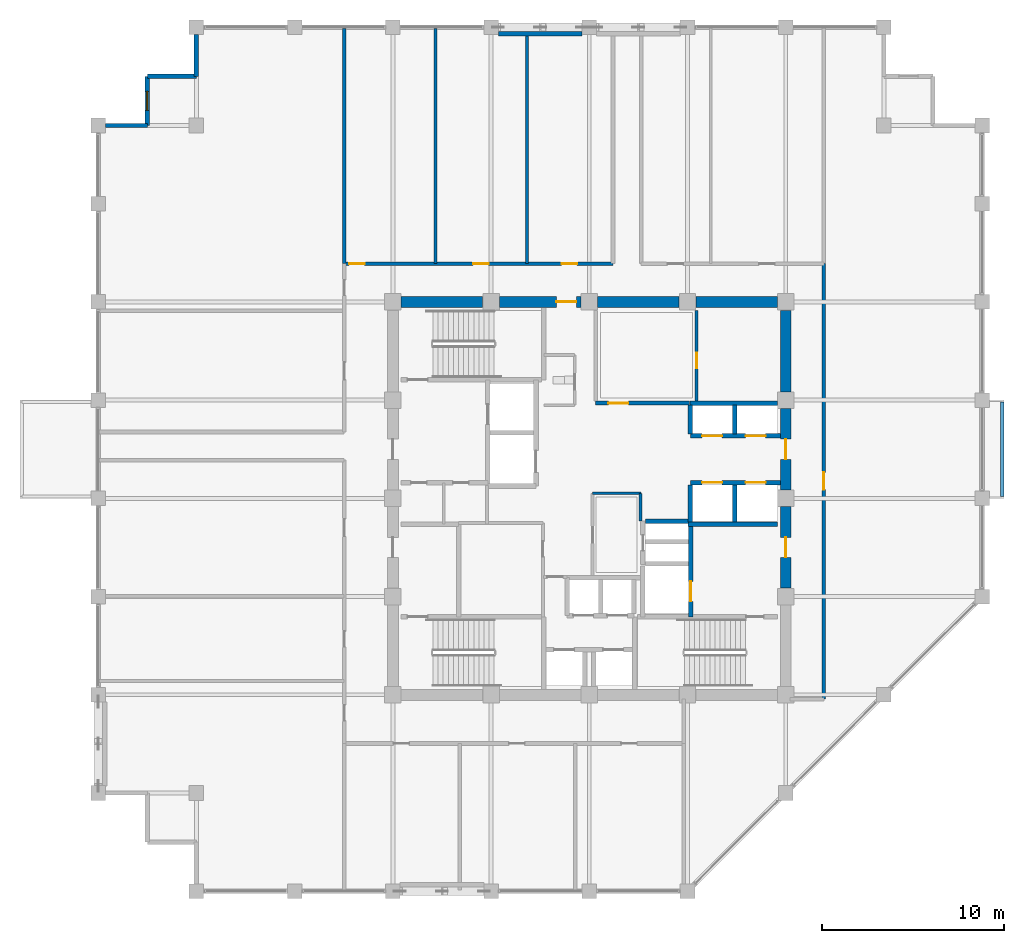
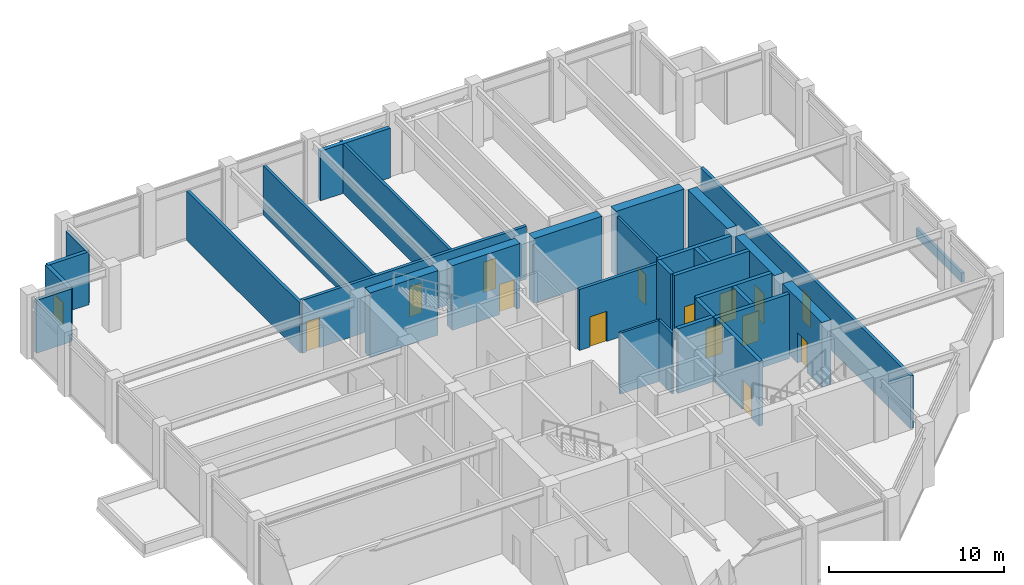
# One storey, part 25 of 28: 32 walls, 14 doors, 1 window, 15 openings.
"""IFC4 building model written with IfcOpenShell, lengths in metres."""

from ifc_helpers import new_model, si_unit, direction, frame, frame_2d, origin, place, context, subcontext, project, spatial, rectangle, extrude, material, layer, layer_set, type_object, element, fill, save


model = new_model("IFC4")

# Units and contexts
model_context = context("Model", 3, precision=1e-05, world=origin(), true_north=direction((0.0, 1.0)))
body_context = subcontext(model_context, "Body", "Model", "MODEL_VIEW")
ifc_project = project(units=[si_unit("LENGTHUNIT", "METRE"), si_unit("AREAUNIT", "SQUARE_METRE"), si_unit("VOLUMEUNIT", "CUBIC_METRE"), si_unit("PLANEANGLEUNIT", "RADIAN"), si_unit("MASSUNIT", "GRAM", prefix="KILO")], contexts=[model_context])

# Site, building, storey
site_placement = place(None, origin())
site = spatial("IfcSite", under=ifc_project, at=site_placement, CompositionType="ELEMENT")
building_placement = place(site_placement, origin())
building = spatial("IfcBuilding", under=site, at=building_placement, Name="Surkhivell Harbour Commons", CompositionType="ELEMENT")
storey_placement = place(building_placement, frame((0.0, 0.0, 249.75)))
storey = spatial("IfcBuildingStorey", under=building, at=storey_placement, Name="L65", CompositionType="ELEMENT", Elevation=249.75)

# Wall
ifc_material_1 = material(Name="Concrete C60/75", Category="concrete")
ifc_layer_1 = layer(ifc_material_1, 0.60009765625)
ifc_layer_set_1 = layer_set([ifc_layer_1], Name="Concrete C60/75")
wall_type_1 = type_object("IfcWallType", Name="WAL-CORE-600", PredefinedType="SHEAR", material=ifc_layer_set_1)
wall_1_placement = place(storey_placement, frame((-10.340087890625, 10.800048828125, 0.0), z_axis=(0.0, 0.0, 1.0), x_axis=(1.0, 0.0, 0.0)))
element("IfcWall", 1, at=wall_1_placement, inside=storey, type_object=wall_type_1, Name="L65 Core Shear Wall North 1", PredefinedType="SHEAR", context=body_context, shape_type="SweptSolid", body=[
    extrude(rectangle(XDim=4.47998046875, YDim=0.60009765625, at=frame_2d((2.239990234375, 0.0))), origin(), (0.0, 0.0, 1.0), 4.5),
])

# Wall, opening, door
wall_2_placement = place(storey_placement, frame((-4.93994140625, 10.800048828125, 0.0), z_axis=(0.0, 0.0, 1.0), x_axis=(1.0, 0.0, 0.0)))
wall_2 = element("IfcWall", 2, at=wall_2_placement, inside=storey, type_object=wall_type_1, Name="L65 Core Shear Wall North 2", PredefinedType="SHEAR", context=body_context, shape_type="SweptSolid", body=[
    extrude(rectangle(XDim=4.47998046875, YDim=0.60009765625, at=frame_2d((2.239990234375, 0.0))), origin(), (0.0, 0.0, 1.0), 4.5),
])
opening_1_placement = place(wall_2_placement, frame((3.1298828125, 0.0, 0.0)))
opening_1 = element("IfcOpeningElement", 3, at=opening_1_placement, cuts=wall_2, Name="Opening ID-2", PredefinedType="OPENING", context=body_context, shape_type="SweptSolid", body=[
    extrude(rectangle(XDim=1.10009765625, YDim=2.10009765625, at=frame_2d((0.550048828125, 1.050048828125))), frame((0.0, 0.31005859375, 0.0), z_axis=(0.0, -1.0, 0.0), x_axis=(1.0, 0.0, 0.0)), (0.0, 0.0, 1.0), 0.6201171875),
])
ifc_material_2 = material(Name="Hardwood-veneered fire-rated door leaf", Category="wood")
door_type_1 = type_object("IfcDoorType", Name="DOR-FD60-1100", OperationType="NOTDEFINED", PredefinedType="DOOR", material=ifc_material_2)
door_1_placement = place(opening_1_placement, origin())
door_1 = element("IfcDoor", 4, at=door_1_placement, inside=storey, type_object=door_type_1, Name="L65 Central Core Lift Hall North Corridor Door", OperationType="SINGLE_SWING_LEFT", OverallHeight=2.10009765625, OverallWidth=1.10009765625, PredefinedType="DOOR", context=body_context, shape_type="SweptSolid", body=[
    extrude(rectangle(XDim=1.10009765625, YDim=2.10009765625, at=frame_2d((0.550048828125, 1.050048828125))), frame((0.0, 0.02490234375, 0.0), z_axis=(0.0, -1.0, 0.0), x_axis=(1.0, 0.0, 0.0)), (0.0, 0.0, 1.0), 0.050048828125),
])
fill(opening_1, door_1)

wall_3_placement = place(storey_placement, frame((10.800048828125, -4.93994140625, 0.0), z_axis=(0.0, 0.0, 1.0), x_axis=(0.0, 1.0, 0.0)))
wall_3 = element("IfcWall", 5, at=wall_3_placement, inside=storey, type_object=wall_type_1, Name="L65 Core Shear Wall East 2", PredefinedType="SHEAR", context=body_context, shape_type="SweptSolid", body=[
    extrude(rectangle(XDim=4.47998046875, YDim=0.60009765625, at=frame_2d((2.239990234375, 0.0))), origin(), (0.0, 0.0, 1.0), 4.5),
])
opening_2_placement = place(wall_3_placement, frame((1.68994140625, 0.0, 0.0)))
opening_2 = element("IfcOpeningElement", 6, at=opening_2_placement, cuts=wall_3, Name="Opening ID-1", PredefinedType="OPENING", context=body_context, shape_type="SweptSolid", body=[
    extrude(rectangle(XDim=1.10009765625, YDim=2.10009765625, at=frame_2d((0.550048828125, 1.050048828125))), frame((0.0, 0.31005859375, 0.0), z_axis=(0.0, -1.0, 0.0), x_axis=(1.0, 0.0, 0.0)), (0.0, 0.0, 1.0), 0.6201171875),
])
door_type_2 = type_object("IfcDoorType", Name="DOR-FD120-1100", OperationType="NOTDEFINED", PredefinedType="DOOR", material=ifc_material_2)
door_2_placement = place(opening_2_placement, origin())
door_2 = element("IfcDoor", 7, at=door_2_placement, inside=storey, type_object=door_type_2, Name="L65 Firefighting Lobby 2 Corridor Door", OperationType="SINGLE_SWING_RIGHT", OverallHeight=2.10009765625, OverallWidth=1.10009765625, PredefinedType="DOOR", context=body_context, shape_type="SweptSolid", body=[
    extrude(rectangle(XDim=1.10009765625, YDim=2.10009765625, at=frame_2d((0.550048828125, 1.050048828125))), frame((0.0, 0.02490234375, 0.0), z_axis=(0.0, -1.0, 0.0), x_axis=(1.0, 0.0, 0.0)), (0.0, 0.0, 1.0), 0.050048828125),
])
fill(opening_2, door_2)

# Wall
wall_4_placement = place(storey_placement, frame((0.4599609375, 10.800048828125, 0.0), z_axis=(0.0, 0.0, 1.0), x_axis=(1.0, 0.0, 0.0)))
element("IfcWall", 8, at=wall_4_placement, inside=storey, type_object=wall_type_1, Name="L65 Core Shear Wall North 3", PredefinedType="SHEAR", context=body_context, shape_type="SweptSolid", body=[
    extrude(rectangle(XDim=4.47998046875, YDim=0.60009765625, at=frame_2d((2.239990234375, 0.0))), origin(), (0.0, 0.0, 1.0), 4.5),
])

# Wall, opening, door
wall_5_placement = place(storey_placement, frame((10.800048828125, 0.4599609375, 0.0), z_axis=(0.0, 0.0, 1.0), x_axis=(0.0, 1.0, 0.0)))
wall_5 = element("IfcWall", 9, at=wall_5_placement, inside=storey, type_object=wall_type_1, Name="L65 Core Shear Wall East 3", PredefinedType="SHEAR", context=body_context, shape_type="SweptSolid", body=[
    extrude(rectangle(XDim=4.47998046875, YDim=0.60009765625, at=frame_2d((2.239990234375, 0.0))), origin(), (0.0, 0.0, 1.0), 4.5),
])
opening_3_placement = place(wall_5_placement, frame((1.68994140625, 0.0, 0.0)))
opening_3 = element("IfcOpeningElement", 10, at=opening_3_placement, cuts=wall_5, Name="Opening ID-2", PredefinedType="OPENING", context=body_context, shape_type="SweptSolid", body=[
    extrude(rectangle(XDim=1.10009765625, YDim=2.10009765625, at=frame_2d((0.550048828125, 1.050048828125))), frame((0.0, 0.31005859375, 0.0), z_axis=(0.0, -1.0, 0.0), x_axis=(1.0, 0.0, 0.0)), (0.0, 0.0, 1.0), 0.6201171875),
])
door_3_placement = place(opening_3_placement, origin())
door_3 = element("IfcDoor", 11, at=door_3_placement, inside=storey, type_object=door_type_1, Name="L65 Mid-Rise Lobby East Door", OperationType="SINGLE_SWING_LEFT", OverallHeight=2.10009765625, OverallWidth=1.10009765625, PredefinedType="DOOR", context=body_context, shape_type="SweptSolid", body=[
    extrude(rectangle(XDim=1.10009765625, YDim=2.10009765625, at=frame_2d((0.550048828125, 1.050048828125))), frame((0.0, 0.02490234375, 0.0), z_axis=(0.0, -1.0, 0.0), x_axis=(1.0, 0.0, 0.0)), (0.0, 0.0, 1.0), 0.050048828125),
])
fill(opening_3, door_3)

# Walls
for number, where, z_axis, x_axis, name in (
    (12, (5.860107421875, 10.800048828125, 0.0), (0.0, 0.0, 1.0), (1.0, 0.0, 0.0), "L65 Core Shear Wall North 4"),
    (13, (10.800048828125, 5.860107421875, 0.0), (0.0, 0.0, 1.0), (0.0, 1.0, 0.0), "L65 Core Shear Wall East 4"),
):
    element("IfcWall", number, at=place(storey_placement, frame(where, z_axis=z_axis, x_axis=x_axis)), inside=storey, type_object=wall_type_1, Name=name, PredefinedType="SHEAR", context=body_context, shape_type="SweptSolid", body=[
        extrude(rectangle(XDim=4.47998046875, YDim=0.60009765625, at=frame_2d((2.239990234375, 0.0))), origin(), (0.0, 0.0, 1.0), 4.5),
    ])
ifc_material_3 = material(Name="Pale-metal insulated precast concrete C45/55", Category="concrete")
ifc_layer_2 = layer(ifc_material_3, 0.260009765625)
ifc_layer_set_2 = layer_set([ifc_layer_2], Name="Pale-metal insulated precast concrete C45/55")
wall_type_2 = type_object("IfcWallType", Name="WAL-EXT-MTL260", PredefinedType="STANDARD", material=ifc_layer_set_2)
wall_6_placement = place(storey_placement, frame((-0.39794921875, 25.5400390625, 0.0), z_axis=(0.0, 0.0, 1.0), x_axis=(-1.0, 0.0, 0.0)))
element("IfcWall", 14, at=wall_6_placement, inside=storey, type_object=wall_type_2, Name="L65 Braced-Bay Insulated Spandrel Backing N", PredefinedType="STANDARD", context=body_context, shape_type="SweptSolid", body=[
    extrude(rectangle(XDim=4.60400390625, YDim=0.260009765625, at=frame_2d((2.302001953125, 0.0))), origin(), (0.0, 0.0, 1.0), 3.4599609375),
])
ifc_material_4 = material(Name="Bronze-ochre cassette precast concrete C45/55", Category="concrete")
ifc_layer_3 = layer(ifc_material_4, 0.239990234375)
ifc_layer_set_3 = layer_set([ifc_layer_3], Name="Bronze-ochre cassette precast concrete C45/55")
wall_type_3 = type_object("IfcWallType", Name="WAL-EXT-OCH240", PredefinedType="STANDARD", material=ifc_layer_set_3)
wall_7_placement = place(storey_placement, frame((-21.60009765625, 25.501953125, 0.0), z_axis=(0.0, 0.0, 1.0), x_axis=(0.0, -1.0, 0.0)))
element("IfcWall", 15, at=wall_7_placement, inside=storey, type_object=wall_type_3, Name="L65 Serrated Corner Facade Wall 08", PredefinedType="STANDARD", context=body_context, shape_type="SweptSolid", body=[
    extrude(rectangle(XDim=2.302001953125, YDim=0.239990234375, at=frame_2d((1.15087890625, 0.0))), origin(), (0.0, 0.0, 1.0), 3.68603515625),
])
wall_8_placement = place(storey_placement, frame((-21.60009765625, 23.199951171875, 0.0), z_axis=(0.0, 0.0, 1.0), x_axis=(-1.0, 0.0, 0.0)))
element("IfcWall", 16, at=wall_8_placement, inside=storey, type_object=wall_type_3, Name="L65 Serrated Corner Facade Wall 09", PredefinedType="STANDARD", context=body_context, shape_type="SweptSolid", body=[
    extrude(rectangle(XDim=2.699951171875, YDim=0.239990234375, at=frame_2d((1.35009765625, 0.0))), origin(), (0.0, 0.0, 1.0), 3.68603515625),
])

# Wall, opening, window
wall_9_placement = place(storey_placement, frame((-24.300048828125, 23.199951171875, 0.0), z_axis=(0.0, 0.0, 1.0), x_axis=(0.0, -1.0, 0.0)))
wall_9 = element("IfcWall", 17, at=wall_9_placement, inside=storey, type_object=wall_type_3, Name="L65 Serrated Corner Facade Wall 10", PredefinedType="STANDARD", context=body_context, shape_type="SweptSolid", body=[
    extrude(rectangle(XDim=2.699951171875, YDim=0.239990234375, at=frame_2d((1.35009765625, 0.0))), origin(), (0.0, 0.0, 1.0), 3.68603515625),
])
opening_4_placement = place(wall_9_placement, frame((0.824951171875, 0.0, 0.64990234375)))
opening_4 = element("IfcOpeningElement", 18, at=opening_4_placement, cuts=wall_9, Name="Opening WN-11", PredefinedType="OPENING", context=body_context, shape_type="SweptSolid", body=[
    extrude(rectangle(XDim=1.050048828125, YDim=1.5, at=frame_2d((0.52490234375, 0.75))), frame((0.0, 0.1298828125, 0.0), z_axis=(0.0, -1.0, 0.0), x_axis=(1.0, 0.0, 0.0)), (0.0, 0.0, 1.0), 0.260009765625),
])
ifc_material_5 = material(Name="Thermal-break aluminium frame and double low-E glazing", Category="aluminium")
window_type = type_object("IfcWindowType", Name="WIN-SER-1050x1500", PartitioningType="SINGLE_PANEL", PredefinedType="WINDOW", material=ifc_material_5)
window_placement = place(opening_4_placement, origin())
window = element("IfcWindow", 19, at=window_placement, inside=storey, type_object=window_type, Name="L65 Serrated Alcove Window 10", OverallHeight=1.5, OverallWidth=1.050048828125, PartitioningType="SINGLE_PANEL", PredefinedType="WINDOW", context=body_context, shape_type="SweptSolid", body=[
    extrude(rectangle(XDim=1.050048828125, YDim=1.5, at=frame_2d((0.52490234375, 0.75))), frame((0.0, 0.030029296875, 0.0), z_axis=(0.0, -1.0, 0.0), x_axis=(1.0, 0.0, 0.0)), (0.0, 0.0, 1.0), 0.06005859375),
])
fill(opening_4, window)

# Wall
wall_10_placement = place(storey_placement, frame((-24.300048828125, 20.5, 0.0), z_axis=(0.0, 0.0, 1.0), x_axis=(-1.0, 0.0, 0.0)))
element("IfcWall", 20, at=wall_10_placement, inside=storey, type_object=wall_type_3, Name="L65 Serrated Corner Facade Wall 11", PredefinedType="STANDARD", context=body_context, shape_type="SweptSolid", body=[
    extrude(rectangle(XDim=2.302001953125, YDim=0.239990234375, at=frame_2d((1.15087890625, 0.0))), origin(), (0.0, 0.0, 1.0), 3.68603515625),
])

# Wall, opening, door
ifc_material_6 = material(Name="Twin-stud acoustic fireboard partition", Category="other")
ifc_layer_4 = layer(ifc_material_6, 0.14990234375)
ifc_layer_set_4 = layer_set([ifc_layer_4], Name="Twin-stud acoustic fireboard partition")
wall_type_4 = type_object("IfcWallType", Name="WAL-INT-150", PredefinedType="PARTITIONING", material=ifc_layer_set_4)
wall_11_placement = place(storey_placement, frame((5.89990234375, 5.360107421875, 0.0), z_axis=(0.0, 0.0, 1.0), x_axis=(0.0, 1.0, 0.0)))
wall_11 = element("IfcWall", 21, at=wall_11_placement, inside=storey, type_object=wall_type_4, Name="L65 Study Pod Wall 1", PredefinedType="PARTITIONING", context=body_context, shape_type="SweptSolid", body=[
    extrude(rectangle(XDim=4.97998046875, YDim=0.14990234375, at=frame_2d((2.489990234375, 0.0))), origin(), (0.0, 0.0, 1.0), 4.25),
])
opening_5_placement = place(wall_11_placement, frame((1.800048828125, 0.0, 0.0)))
opening_5 = element("IfcOpeningElement", 22, at=opening_5_placement, cuts=wall_11, Name="Opening ID-6", PredefinedType="OPENING", context=body_context, shape_type="SweptSolid", body=[
    extrude(rectangle(XDim=0.85009765625, YDim=2.10009765625, at=frame_2d((0.425048828125, 1.050048828125))), frame((0.0, 0.0849609375, 0.0), z_axis=(0.0, -1.0, 0.0), x_axis=(1.0, 0.0, 0.0)), (0.0, 0.0, 1.0), 0.169921875),
])
door_type_3 = type_object("IfcDoorType", Name="DOR-FD30-850", OperationType="NOTDEFINED", PredefinedType="DOOR", material=ifc_material_2)
door_4_placement = place(opening_5_placement, origin())
door_4 = element("IfcDoor", 23, at=door_4_placement, inside=storey, type_object=door_type_3, Name="L65 Core Music Door", OperationType="SINGLE_SWING_RIGHT", OverallHeight=2.10009765625, OverallWidth=0.85009765625, PredefinedType="DOOR", context=body_context, shape_type="SweptSolid", body=[
    extrude(rectangle(XDim=0.85009765625, YDim=2.10009765625, at=frame_2d((0.425048828125, 1.050048828125))), frame((0.0, 0.02490234375, 0.0), z_axis=(0.0, -1.0, 0.0), x_axis=(1.0, 0.0, 0.0)), (0.0, 0.0, 1.0), 0.050048828125),
])
fill(opening_5, door_4)

# Walls
wall_12_placement = place(storey_placement, frame((2.820068359375, -1.25, 0.0), z_axis=(0.0, 0.0, 1.0), x_axis=(0.0, 1.0, 0.0)))
element("IfcWall", 24, at=wall_12_placement, inside=storey, type_object=wall_type_4, Name="L65 Central Music East Wall", PredefinedType="PARTITIONING", context=body_context, shape_type="SweptSolid", body=[
    extrude(rectangle(XDim=1.530029296875, YDim=0.14990234375, at=frame_2d((0.76513671875, 0.0))), origin(), (0.0, 0.0, 1.0), 4.25),
])
wall_13_placement = place(storey_placement, frame((0.179931640625, 0.280029296875, 0.0), z_axis=(0.0, 0.0, 1.0), x_axis=(1.0, 0.0, 0.0)))
element("IfcWall", 25, at=wall_13_placement, inside=storey, type_object=wall_type_4, Name="L65 Central Music North Wall", PredefinedType="PARTITIONING", context=body_context, shape_type="SweptSolid", body=[
    extrude(rectangle(XDim=2.670166015625, YDim=0.14990234375, at=frame_2d((1.3349609375, 0.0))), origin(), (0.0, 0.0, 1.0), 4.25),
])
ifc_material_7 = material(Name="High-density acoustic blockwork fire partition", Category="masonry")
ifc_layer_5 = layer(ifc_material_7, 0.175048828125)
ifc_layer_set_5 = layer_set([ifc_layer_5], Name="High-density acoustic blockwork fire partition")
wall_type_5 = type_object("IfcWallType", Name="WAL-INT-175", PredefinedType="PARTITIONING", material=ifc_layer_set_5)
for number, where, z_axis, x_axis, name in (
    (26, (-8.449951171875, 12.89990234375, 0.0), (0.0, 0.0, 1.0), (0.0, 1.0, 0.0), "L65 North-West Partition P1"),
    (27, (-3.429931640625, 12.89990234375, 0.0), (0.0, 0.0, 1.0), (0.0, 1.0, 0.0), "L65 North-West Partition P2"),
):
    element("IfcWall", number, at=place(storey_placement, frame(where, z_axis=z_axis, x_axis=x_axis)), inside=storey, type_object=wall_type_5, Name=name, PredefinedType="PARTITIONING", context=body_context, shape_type="SweptSolid", body=[
        extrude(rectangle(XDim=12.940185546875, YDim=0.175048828125, at=frame_2d((6.47021484375, 0.0))), origin(), (0.0, 0.0, 1.0), 3.4599609375),
    ])

# Wall, opening, door
ifc_material_8 = material(Name="Autoclaved aerated concrete blockwork and fire plaster", Category="masonry")
ifc_layer_6 = layer(ifc_material_8, 0.199951171875)
ifc_layer_set_6 = layer_set([ifc_layer_6], Name="Autoclaved aerated concrete blockwork and fire plaster")
wall_type_6 = type_object("IfcWallType", Name="WAL-INT-200", PredefinedType="PARTITIONING", material=ifc_layer_set_6)
wall_14_placement = place(storey_placement, frame((0.35009765625, 5.239990234375, 0.0), z_axis=(0.0, 0.0, 1.0), x_axis=(1.0, 0.0, 0.0)))
wall_14 = element("IfcWall", 28, at=wall_14_placement, inside=storey, type_object=wall_type_6, Name="L65 Reclaimed Core North Bay South Wall", PredefinedType="PARTITIONING", context=body_context, shape_type="SweptSolid", body=[
    extrude(rectangle(XDim=5.14990234375, YDim=0.199951171875, at=frame_2d((2.574951171875, 0.0))), origin(), (0.0, 0.0, 1.0), 4.25),
])
opening_6_placement = place(wall_14_placement, frame((0.699951171875, 0.0, 0.0)))
opening_6 = element("IfcOpeningElement", 29, at=opening_6_placement, cuts=wall_14, Name="Opening ID-2", PredefinedType="OPENING", context=body_context, shape_type="SweptSolid", body=[
    extrude(rectangle(XDim=1.10009765625, YDim=2.10009765625, at=frame_2d((0.550048828125, 1.050048828125))), frame((0.0, 0.10986328125, 0.0), z_axis=(0.0, -1.0, 0.0), x_axis=(1.0, 0.0, 0.0)), (0.0, 0.0, 1.0), 0.219970703125),
])
door_5_placement = place(opening_6_placement, origin())
door_5 = element("IfcDoor", 30, at=door_5_placement, inside=storey, type_object=door_type_1, Name="L65 Core Seminar Door", OperationType="SINGLE_SWING_LEFT", OverallHeight=2.10009765625, OverallWidth=1.10009765625, PredefinedType="DOOR", context=body_context, shape_type="SweptSolid", body=[
    extrude(rectangle(XDim=1.10009765625, YDim=2.10009765625, at=frame_2d((0.550048828125, 1.050048828125))), frame((0.0, 0.02490234375, 0.0), z_axis=(0.0, -1.0, 0.0), x_axis=(1.0, 0.0, 0.0)), (0.0, 0.0, 1.0), 0.050048828125),
])
fill(opening_6, door_5)

# Wall
wall_15_placement = place(storey_placement, frame((-13.47998046875, 12.89990234375, 0.0), z_axis=(0.0, 0.0, 1.0), x_axis=(0.0, 1.0, 0.0)))
element("IfcWall", 31, at=wall_15_placement, inside=storey, type_object=wall_type_6, Name="L65 North-West Corner Wall", PredefinedType="PARTITIONING", context=body_context, shape_type="SweptSolid", body=[
    extrude(rectangle(XDim=12.940185546875, YDim=0.199951171875, at=frame_2d((6.47021484375, 0.0))), origin(), (0.0, 0.0, 1.0), 3.4599609375),
])

# Wall, opening, door
wall_16_placement = place(storey_placement, frame((12.89990234375, -11.0400390625, 0.0), z_axis=(0.0, 0.0, 1.0), x_axis=(0.0, 1.0, 0.0)))
wall_16 = element("IfcWall", 32, at=wall_16_placement, inside=storey, type_object=wall_type_6, Name="L65 Corridor East Wall", PredefinedType="PARTITIONING", context=body_context, shape_type="SweptSolid", body=[
    extrude(rectangle(XDim=23.93994140625, YDim=0.199951171875, at=frame_2d((11.969970703125, 0.0))), origin(), (0.0, 0.0, 1.0), 3.68603515625),
])
opening_7_placement = place(wall_16_placement, frame((11.52001953125, 0.0, 0.0)))
opening_7 = element("IfcOpeningElement", 33, at=opening_7_placement, cuts=wall_16, Name="Opening ID-4", PredefinedType="OPENING", context=body_context, shape_type="SweptSolid", body=[
    extrude(rectangle(XDim=0.949951171875, YDim=2.10009765625, at=frame_2d((0.47509765625, 1.050048828125))), frame((0.0, 0.10986328125, 0.0), z_axis=(0.0, -1.0, 0.0), x_axis=(1.0, 0.0, 0.0)), (0.0, 0.0, 1.0), 0.219970703125),
])
door_type_4 = type_object("IfcDoorType", Name="DOR-FD60-950", OperationType="NOTDEFINED", PredefinedType="DOOR", material=ifc_material_2)
door_6_placement = place(opening_7_placement, origin())
door_6 = element("IfcDoor", 34, at=door_6_placement, inside=storey, type_object=door_type_4, Name="L65 Open Academic Study Commons Reading Library East Door", OperationType="SINGLE_SWING_LEFT", OverallHeight=2.10009765625, OverallWidth=0.949951171875, PredefinedType="DOOR", context=body_context, shape_type="SweptSolid", body=[
    extrude(rectangle(XDim=0.949951171875, YDim=2.10009765625, at=frame_2d((0.47509765625, 1.050048828125))), frame((0.0, 0.02490234375, 0.0), z_axis=(0.0, -1.0, 0.0), x_axis=(1.0, 0.0, 0.0)), (0.0, 0.0, 1.0), 0.050048828125),
])
fill(opening_7, door_6)

# Wall, openings, doors
wall_17_placement = place(storey_placement, frame((-13.47998046875, 12.89990234375, 0.0), z_axis=(0.0, 0.0, 1.0), x_axis=(1.0, 0.0, 0.0)))
wall_17 = element("IfcWall", 35, at=wall_17_placement, inside=storey, type_object=wall_type_6, Name="L65 Corridor North-West Wall", PredefinedType="PARTITIONING", context=body_context, shape_type="SweptSolid", body=[
    extrude(rectangle(XDim=14.780029296875, YDim=0.199951171875, at=frame_2d((7.39013671875, 0.0))), origin(), (0.0, 0.0, 1.0), 3.68603515625),
])
opening_8_placement = place(wall_17_placement, frame((0.280029296875, 0.0, 0.0)))
opening_8 = element("IfcOpeningElement", 36, at=opening_8_placement, cuts=wall_17, Name="Opening ID-6", PredefinedType="OPENING", context=body_context, shape_type="SweptSolid", body=[
    extrude(rectangle(XDim=0.85009765625, YDim=2.10009765625, at=frame_2d((0.425048828125, 1.050048828125))), frame((0.0, 0.10986328125, 0.0), z_axis=(0.0, -1.0, 0.0), x_axis=(1.0, 0.0, 0.0)), (0.0, 0.0, 1.0), 0.219970703125),
])
opening_9_placement = place(wall_17_placement, frame((7.090087890625, 0.0, 0.0)))
opening_9 = element("IfcOpeningElement", 37, at=opening_9_placement, cuts=wall_17, Name="Opening ID-6", PredefinedType="OPENING", context=body_context, shape_type="SweptSolid", body=[
    extrude(rectangle(XDim=0.85009765625, YDim=2.10009765625, at=frame_2d((0.425048828125, 1.050048828125))), frame((0.0, 0.10986328125, 0.0), z_axis=(0.0, -1.0, 0.0), x_axis=(1.0, 0.0, 0.0)), (0.0, 0.0, 1.0), 0.219970703125),
])
opening_10_placement = place(wall_17_placement, frame((11.965087890625, 0.0, 0.0)))
opening_10 = element("IfcOpeningElement", 38, at=opening_10_placement, cuts=wall_17, Name="Opening ID-6", PredefinedType="OPENING", context=body_context, shape_type="SweptSolid", body=[
    extrude(rectangle(XDim=0.85009765625, YDim=2.10009765625, at=frame_2d((0.425048828125, 1.050048828125))), frame((0.0, 0.10986328125, 0.0), z_axis=(0.0, -1.0, 0.0), x_axis=(1.0, 0.0, 0.0)), (0.0, 0.0, 1.0), 0.219970703125),
])
door_7_placement = place(opening_8_placement, origin())
door_7 = element("IfcDoor", 39, at=door_7_placement, inside=storey, type_object=door_type_3, Name="L65 Academic Seminar Room 1 North-West Door", OperationType="SINGLE_SWING_RIGHT", OverallHeight=2.10009765625, OverallWidth=0.85009765625, PredefinedType="DOOR", context=body_context, shape_type="SweptSolid", body=[
    extrude(rectangle(XDim=0.85009765625, YDim=2.10009765625, at=frame_2d((0.425048828125, 1.050048828125))), frame((0.0, 0.02490234375, 0.0), z_axis=(0.0, -1.0, 0.0), x_axis=(1.0, 0.0, 0.0)), (0.0, 0.0, 1.0), 0.050048828125),
])
fill(opening_8, door_7)
door_8_placement = place(opening_9_placement, origin())
door_8 = element("IfcDoor", 40, at=door_8_placement, inside=storey, type_object=door_type_3, Name="L65 Academic Seminar Room 2 North-West Door", OperationType="SINGLE_SWING_LEFT", OverallHeight=2.10009765625, OverallWidth=0.85009765625, PredefinedType="DOOR", context=body_context, shape_type="SweptSolid", body=[
    extrude(rectangle(XDim=0.85009765625, YDim=2.10009765625, at=frame_2d((0.425048828125, 1.050048828125))), frame((0.0, 0.02490234375, 0.0), z_axis=(0.0, -1.0, 0.0), x_axis=(1.0, 0.0, 0.0)), (0.0, 0.0, 1.0), 0.050048828125),
])
fill(opening_9, door_8)
door_9_placement = place(opening_10_placement, origin())
door_9 = element("IfcDoor", 41, at=door_9_placement, inside=storey, type_object=door_type_3, Name="L65 Academic Seminar Room 3 North-West Door", OperationType="SINGLE_SWING_RIGHT", OverallHeight=2.10009765625, OverallWidth=0.85009765625, PredefinedType="DOOR", context=body_context, shape_type="SweptSolid", body=[
    extrude(rectangle(XDim=0.85009765625, YDim=2.10009765625, at=frame_2d((0.425048828125, 1.050048828125))), frame((0.0, 0.02490234375, 0.0), z_axis=(0.0, -1.0, 0.0), x_axis=(1.0, 0.0, 0.0)), (0.0, 0.0, 1.0), 0.050048828125),
])
fill(opening_10, door_9)

# Walls
ifc_material_9 = material(Name="Anodised aluminium and precast concrete C40/50", Category="concrete")
ifc_layer_7 = layer(ifc_material_9, 0.18505859375)
ifc_layer_set_7 = layer_set([ifc_layer_7], Name="Anodised aluminium and precast concrete C40/50")
wall_type_7 = type_object("IfcWallType", Name="WAL-PAR-185", PredefinedType="PARAPET", material=ifc_layer_set_7)
wall_18_placement = place(storey_placement, frame((22.699951171875, 0.10009765625, 0.0), z_axis=(0.0, 0.0, 1.0), x_axis=(0.0, 1.0, 0.0)))
element("IfcWall", 42, at=wall_18_placement, inside=storey, type_object=wall_type_7, Name="L65 Box Roof Coping Parapet 1-1", PredefinedType="PARAPET", context=body_context, shape_type="SweptSolid", body=[
    extrude(rectangle(XDim=5.199951171875, YDim=0.18505859375, at=frame_2d((2.60009765625, 0.0))), origin(), (0.0, 0.0, 1.0), 0.64990234375),
])
ifc_material_10 = material(Name="Concrete C50/60", Category="concrete")
ifc_layer_8 = layer(ifc_material_10, 0.25)
ifc_layer_set_8 = layer_set([ifc_layer_8], Name="Concrete C50/60")
wall_type_8 = type_object("IfcWallType", Name="WAL-SHAFT-250", PredefinedType="SHEAR", material=ifc_layer_set_8)
wall_19_placement = place(storey_placement, frame((5.43994140625, -1.419921875, 0.0), z_axis=(0.0, 0.0, 1.0), x_axis=(1.0, 0.0, 0.0)))
element("IfcWall", 43, at=wall_19_placement, inside=storey, type_object=wall_type_8, Name="L65 Firefighting Lobby 2 North Wall", PredefinedType="SHEAR", context=body_context, shape_type="SweptSolid", body=[
    extrude(rectangle(XDim=4.900146484375, YDim=0.25, at=frame_2d((2.4501953125, 0.0))), origin(), (0.0, 0.0, 1.0), 4.5),
])

# Wall, opening, door
wall_20_placement = place(storey_placement, frame((5.580078125, -6.510009765625, 0.0), z_axis=(0.0, 0.0, 1.0), x_axis=(0.0, 1.0, 0.0)))
wall_20 = element("IfcWall", 44, at=wall_20_placement, inside=storey, type_object=wall_type_8, Name="L65 Firefighting Lobby 2 West Shaft Wall", PredefinedType="SHEAR", context=body_context, shape_type="SweptSolid", body=[
    extrude(rectangle(XDim=5.090087890625, YDim=0.25, at=frame_2d((2.544921875, 0.0))), origin(), (0.0, 0.0, 1.0), 4.5),
])
opening_11_placement = place(wall_20_placement, frame((0.85009765625, 0.0, 0.0)))
opening_11 = element("IfcOpeningElement", 45, at=opening_11_placement, cuts=wall_20, Name="Opening LD-1", PredefinedType="OPENING", context=body_context, shape_type="SweptSolid", body=[
    extrude(rectangle(XDim=1.10009765625, YDim=2.10009765625, at=frame_2d((0.550048828125, 1.050048828125))), frame((0.0, 0.135009765625, 0.0), z_axis=(0.0, -1.0, 0.0), x_axis=(1.0, 0.0, 0.0)), (0.0, 0.0, 1.0), 0.27001953125),
])
ifc_material_11 = material(Name="Brushed stainless steel S355", Category="steel")
door_type_5 = type_object("IfcDoorType", Name="DOR-LD-1100", OperationType="SLIDING_TO_LEFT", PredefinedType="DOOR", material=ifc_material_11)
door_10_placement = place(opening_11_placement, origin())
door_10 = element("IfcDoor", 46, at=door_10_placement, inside=storey, type_object=door_type_5, Name="L65 Lift Landing Door LD-FFL2", OperationType="SLIDING_TO_RIGHT", OverallHeight=2.10009765625, OverallWidth=1.10009765625, PredefinedType="DOOR", context=body_context, shape_type="SweptSolid", body=[
    extrude(rectangle(XDim=1.10009765625, YDim=2.10009765625, at=frame_2d((0.550048828125, 1.050048828125))), frame((0.0, 0.02490234375, 0.0), z_axis=(0.0, -1.0, 0.0), x_axis=(1.0, 0.0, 0.0)), (0.0, 0.0, 1.0), 0.050048828125),
])
fill(opening_11, door_10)

# Walls
for number, where, z_axis, x_axis, name in (
    (47, (5.550048828125, 3.550048828125, 0.0), (0.0, 0.0, 1.0), (0.0, 1.0, 0.0), "L65 Mid-Rise Shaft Side Wall N"),
    (48, (8.0, 3.550048828125, 0.0), (0.0, 0.0, 1.0), (0.0, 1.0, 0.0), "L65 Mid-Rise Shaft Side Wall N"),
):
    element("IfcWall", number, at=place(storey_placement, frame(where, z_axis=z_axis, x_axis=x_axis)), inside=storey, type_object=wall_type_8, Name=name, PredefinedType="SHEAR", context=body_context, shape_type="SweptSolid", body=[
        extrude(rectangle(XDim=1.570068359375, YDim=0.25, at=frame_2d((0.78515625, 0.0))), origin(), (0.0, 0.0, 1.0), 4.5),
    ])
for number, where, z_axis, x_axis, name in (
    (49, (5.550048828125, -1.300048828125, 0.0), (0.0, 0.0, 1.0), (0.0, 1.0, 0.0), "L65 Mid-Rise Shaft Side Wall S"),
    (50, (8.0, -1.300048828125, 0.0), (0.0, 0.0, 1.0), (0.0, 1.0, 0.0), "L65 Mid-Rise Shaft Side Wall S"),
):
    element("IfcWall", number, at=place(storey_placement, frame(where, z_axis=z_axis, x_axis=x_axis)), inside=storey, type_object=wall_type_8, Name=name, PredefinedType="SHEAR", context=body_context, shape_type="SweptSolid", body=[
        extrude(rectangle(XDim=2.0400390625, YDim=0.25, at=frame_2d((1.02001953125, 0.0))), origin(), (0.0, 0.0, 1.0), 4.5),
    ])

# Wall, openings, doors
wall_21_placement = place(storey_placement, frame((5.550048828125, 3.429931640625, 0.0), z_axis=(0.0, 0.0, 1.0), x_axis=(1.0, 0.0, 0.0)))
wall_21 = element("IfcWall", 51, at=wall_21_placement, inside=storey, type_object=wall_type_8, Name="L65 Mid-Rise North Front Shaft Wall", PredefinedType="SHEAR", context=body_context, shape_type="SweptSolid", body=[
    extrude(rectangle(XDim=4.949951171875, YDim=0.25, at=frame_2d((2.47509765625, 0.0))), origin(), (0.0, 0.0, 1.0), 4.5),
])
opening_12_placement = place(wall_21_placement, frame((0.64990234375, 0.0, 0.0)))
opening_12 = element("IfcOpeningElement", 52, at=opening_12_placement, cuts=wall_21, Name="Opening LD-1", PredefinedType="OPENING", context=body_context, shape_type="SweptSolid", body=[
    extrude(rectangle(XDim=1.10009765625, YDim=2.10009765625, at=frame_2d((0.550048828125, 1.050048828125))), frame((0.0, 0.135009765625, 0.0), z_axis=(0.0, -1.0, 0.0), x_axis=(1.0, 0.0, 0.0)), (0.0, 0.0, 1.0), 0.27001953125),
])
opening_13_placement = place(wall_21_placement, frame((3.050048828125, 0.0, 0.0)))
opening_13 = element("IfcOpeningElement", 53, at=opening_13_placement, cuts=wall_21, Name="Opening LD-1", PredefinedType="OPENING", context=body_context, shape_type="SweptSolid", body=[
    extrude(rectangle(XDim=1.10009765625, YDim=2.10009765625, at=frame_2d((0.550048828125, 1.050048828125))), frame((0.0, 0.135009765625, 0.0), z_axis=(0.0, -1.0, 0.0), x_axis=(1.0, 0.0, 0.0)), (0.0, 0.0, 1.0), 0.27001953125),
])
door_11_placement = place(opening_12_placement, origin())
door_11 = element("IfcDoor", 54, at=door_11_placement, inside=storey, type_object=door_type_5, Name="L65 Lift Landing Door LD-PM1", OperationType="SLIDING_TO_RIGHT", OverallHeight=2.10009765625, OverallWidth=1.10009765625, PredefinedType="DOOR", context=body_context, shape_type="SweptSolid", body=[
    extrude(rectangle(XDim=1.10009765625, YDim=2.10009765625, at=frame_2d((0.550048828125, 1.050048828125))), frame((0.0, 0.02490234375, 0.0), z_axis=(0.0, -1.0, 0.0), x_axis=(1.0, 0.0, 0.0)), (0.0, 0.0, 1.0), 0.050048828125),
])
fill(opening_12, door_11)
door_12_placement = place(opening_13_placement, origin())
door_12 = element("IfcDoor", 55, at=door_12_placement, inside=storey, type_object=door_type_5, Name="L65 Lift Landing Door LD-PM2", OperationType="SLIDING_TO_RIGHT", OverallHeight=2.10009765625, OverallWidth=1.10009765625, PredefinedType="DOOR", context=body_context, shape_type="SweptSolid", body=[
    extrude(rectangle(XDim=1.10009765625, YDim=2.10009765625, at=frame_2d((0.550048828125, 1.050048828125))), frame((0.0, 0.02490234375, 0.0), z_axis=(0.0, -1.0, 0.0), x_axis=(1.0, 0.0, 0.0)), (0.0, 0.0, 1.0), 0.050048828125),
])
fill(opening_13, door_12)

# Wall
wall_22_placement = place(storey_placement, frame((5.550048828125, 5.239990234375, 0.0), z_axis=(0.0, 0.0, 1.0), x_axis=(1.0, 0.0, 0.0)))
element("IfcWall", 56, at=wall_22_placement, inside=storey, type_object=wall_type_8, Name="L65 Mid-Rise North Back Shaft Wall", PredefinedType="SHEAR", context=body_context, shape_type="SweptSolid", body=[
    extrude(rectangle(XDim=4.800048828125, YDim=0.25, at=frame_2d((2.39990234375, 0.0))), origin(), (0.0, 0.0, 1.0), 4.5),
])

# Wall, openings, doors
wall_23_placement = place(storey_placement, frame((5.550048828125, 0.8701171875, 0.0), z_axis=(0.0, 0.0, 1.0), x_axis=(1.0, 0.0, 0.0)))
wall_23 = element("IfcWall", 57, at=wall_23_placement, inside=storey, type_object=wall_type_8, Name="L65 Mid-Rise South Front Shaft Wall", PredefinedType="SHEAR", context=body_context, shape_type="SweptSolid", body=[
    extrude(rectangle(XDim=4.949951171875, YDim=0.25, at=frame_2d((2.47509765625, 0.0))), origin(), (0.0, 0.0, 1.0), 4.5),
])
opening_14_placement = place(wall_23_placement, frame((0.64990234375, 0.0, 0.0)))
opening_14 = element("IfcOpeningElement", 58, at=opening_14_placement, cuts=wall_23, Name="Opening LD-1", PredefinedType="OPENING", context=body_context, shape_type="SweptSolid", body=[
    extrude(rectangle(XDim=1.10009765625, YDim=2.10009765625, at=frame_2d((0.550048828125, 1.050048828125))), frame((0.0, 0.135009765625, 0.0), z_axis=(0.0, -1.0, 0.0), x_axis=(1.0, 0.0, 0.0)), (0.0, 0.0, 1.0), 0.27001953125),
])
opening_15_placement = place(wall_23_placement, frame((3.050048828125, 0.0, 0.0)))
opening_15 = element("IfcOpeningElement", 59, at=opening_15_placement, cuts=wall_23, Name="Opening LD-1", PredefinedType="OPENING", context=body_context, shape_type="SweptSolid", body=[
    extrude(rectangle(XDim=1.10009765625, YDim=2.10009765625, at=frame_2d((0.550048828125, 1.050048828125))), frame((0.0, 0.135009765625, 0.0), z_axis=(0.0, -1.0, 0.0), x_axis=(1.0, 0.0, 0.0)), (0.0, 0.0, 1.0), 0.27001953125),
])
door_13_placement = place(opening_14_placement, origin())
door_13 = element("IfcDoor", 60, at=door_13_placement, inside=storey, type_object=door_type_5, Name="L65 Lift Landing Door LD-PM3", OperationType="SLIDING_TO_RIGHT", OverallHeight=2.10009765625, OverallWidth=1.10009765625, PredefinedType="DOOR", context=body_context, shape_type="SweptSolid", body=[
    extrude(rectangle(XDim=1.10009765625, YDim=2.10009765625, at=frame_2d((0.550048828125, 1.050048828125))), frame((0.0, 0.02490234375, 0.0), z_axis=(0.0, -1.0, 0.0), x_axis=(1.0, 0.0, 0.0)), (0.0, 0.0, 1.0), 0.050048828125),
])
fill(opening_14, door_13)
door_14_placement = place(opening_15_placement, origin())
door_14 = element("IfcDoor", 61, at=door_14_placement, inside=storey, type_object=door_type_5, Name="L65 Lift Landing Door LD-PM4", OperationType="SLIDING_TO_RIGHT", OverallHeight=2.10009765625, OverallWidth=1.10009765625, PredefinedType="DOOR", context=body_context, shape_type="SweptSolid", body=[
    extrude(rectangle(XDim=1.10009765625, YDim=2.10009765625, at=frame_2d((0.550048828125, 1.050048828125))), frame((0.0, 0.02490234375, 0.0), z_axis=(0.0, -1.0, 0.0), x_axis=(1.0, 0.0, 0.0)), (0.0, 0.0, 1.0), 0.050048828125),
])
fill(opening_15, door_14)

# Wall
wall_24_placement = place(storey_placement, frame((3.080078125, -1.25, 0.0), z_axis=(0.0, 0.0, 1.0), x_axis=(1.0, 0.0, 0.0)))
element("IfcWall", 62, at=wall_24_placement, inside=storey, type_object=wall_type_8, Name="L65 Riser North Wall", PredefinedType="SHEAR", context=body_context, shape_type="SweptSolid", body=[
    extrude(rectangle(XDim=2.369873046875, YDim=0.25, at=frame_2d((1.18505859375, 0.0))), origin(), (0.0, 0.0, 1.0), 4.5),
])

save(model, "model.ifc")
